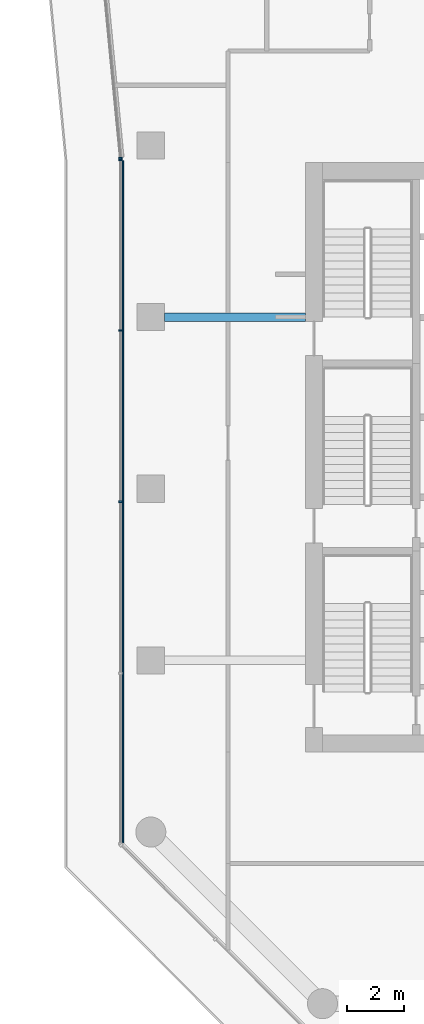
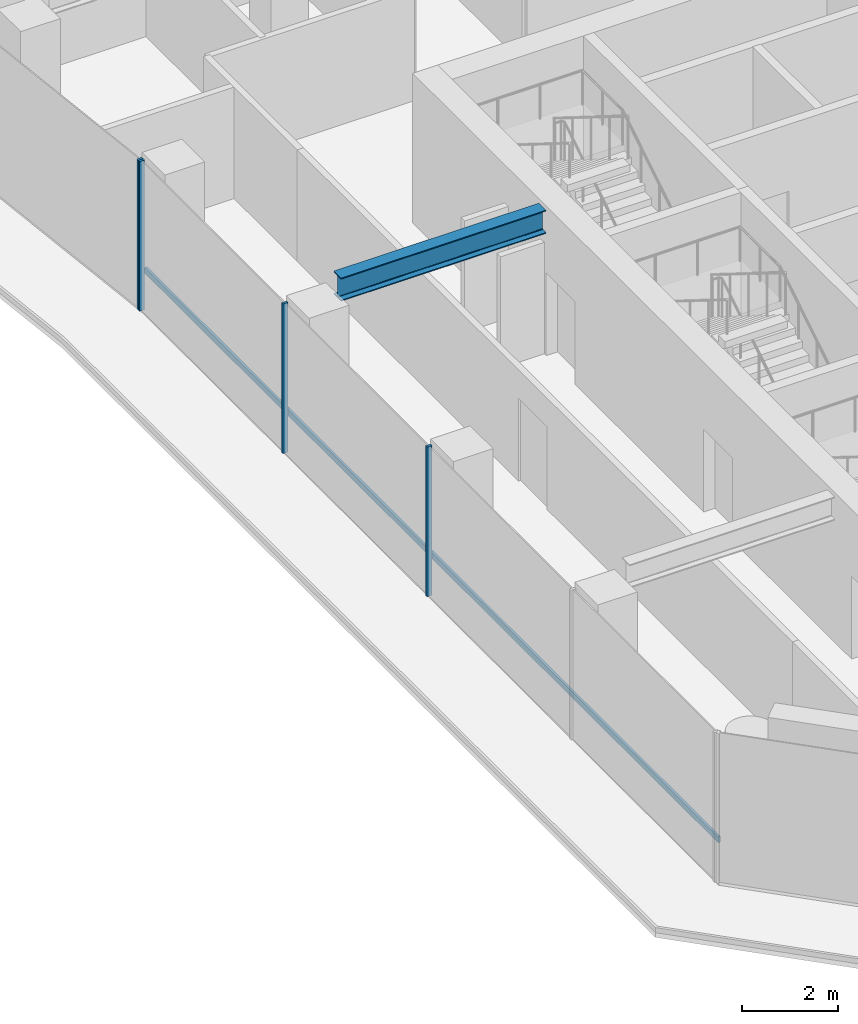
# One storey, part 5 of 22: 5 members, 1 beam, 2 elements without a shape of their own.
"""IFC4 building model written with IfcOpenShell, lengths in metres."""

from ifc_helpers import new_model, si_unit, direction, frame, origin, origin_2d, place, context, subcontext, project, spatial, rectangle, i_section, extrude, material, layer, layer_set, material_profile, profile_set, type_object, element, aggregate, save


model = new_model("IFC4")

# Units and contexts
model_context = context("Model", 3, precision=1e-05, world=origin(), true_north=direction((0.0, 1.0)))
body_context = subcontext(model_context, "Body", "Model", "MODEL_VIEW")
ifc_project = project(units=[si_unit("LENGTHUNIT", "METRE"), si_unit("AREAUNIT", "SQUARE_METRE"), si_unit("VOLUMEUNIT", "CUBIC_METRE"), si_unit("PLANEANGLEUNIT", "RADIAN"), si_unit("MASSUNIT", "GRAM", prefix="KILO")], contexts=[model_context])

# Site, building, storey
site_placement = place(None, origin())
site = spatial("IfcSite", under=ifc_project, at=site_placement, CompositionType="ELEMENT")
building_placement = place(site_placement, origin())
building = spatial("IfcBuilding", under=site, at=building_placement, Name="Welwitschia Terrace Campus", CompositionType="ELEMENT")
storey_placement = place(building_placement, frame((0.0, 0.0, 192.800048828125)))
storey = spatial("IfcBuildingStorey", under=building, at=storey_placement, Name="L43", CompositionType="ELEMENT", Elevation=192.800048828125)

# Curtain wall, member
ifc_material_1 = material(Name="Bronze anodised aluminium", Category="aluminium")
ifc_layer = layer(ifc_material_1, 0.1201171875)
ifc_layer_set = layer_set([ifc_layer], Name="Bronze anodised aluminium")
curtain_wall_type = type_object("IfcCurtainWallType", Name="Curtain wall CW2 tower 6000", PredefinedType="NOTDEFINED", material=ifc_layer_set)
curtain_wall_1_placement = place(storey_placement, origin())
curtain_wall_1 = element("IfcCurtainWall", 1, at=curtain_wall_1_placement, inside=storey, type_object=curtain_wall_type, Name="CW L43.0.0", PredefinedType="NOTDEFINED")
ifc_material_2 = material(Name="Bronze anodised aluminium", Category="aluminium")
ifc_material_profile_1 = material_profile(ifc_material_2, rectangle(XDim=0.1201171875, YDim=0.06005859375, at=origin_2d()))
ifc_profile_set_1 = profile_set([ifc_material_profile_1], Name="Bronze anodised aluminium")
member_type_1 = type_object("IfcMemberType", Name="Mullion 60x120", PredefinedType="MULLION", material=ifc_profile_set_1)
member_1_placement = place(storey_placement, frame((-1.060791015625, 25.553466796875, 0.0), z_axis=(0.0, 0.0, 1.0), x_axis=(0.995396198367, 0.09584575252, 0.0)))
member_1 = element("IfcMember", 2, at=member_1_placement, type_object=member_type_1, Name="Mullion L43.0.0.6", PredefinedType="MULLION", context=body_context, shape_type="SweptSolid", body=[
    extrude(rectangle(XDim=0.1201171875, YDim=0.06005859375, at=origin_2d()), origin(), (0.0, 0.0, 1.0), 3.800048828125),
])
aggregate(curtain_wall_1, [member_1])

# Curtain wall, members
curtain_wall_2_placement = place(storey_placement, origin())
curtain_wall_2 = element("IfcCurtainWall", 3, at=curtain_wall_2_placement, inside=storey, type_object=curtain_wall_type, Name="CW L43.1.0", PredefinedType="NOTDEFINED")
member_2_placement = place(storey_placement, frame((-1.05810546875, 25.493408203125, 0.0), z_axis=(0.0, 0.0, 1.0), x_axis=(1.0, 0.0, 0.0)))
member_2 = element("IfcMember", 4, at=member_2_placement, type_object=member_type_1, Name="Mullion L43.1.0.0", PredefinedType="MULLION", context=body_context, shape_type="SweptSolid", body=[
    extrude(rectangle(XDim=0.1201171875, YDim=0.06005859375, at=origin_2d()), origin(), (0.0, 0.0, 1.0), 3.800048828125),
])
member_3_placement = place(storey_placement, frame((-1.05810546875, 19.532958984375, 0.0), z_axis=(0.0, 0.0, 1.0), x_axis=(1.0, 0.0, 0.0)))
member_3 = element("IfcMember", 5, at=member_3_placement, type_object=member_type_1, Name="Mullion L43.1.0.1", PredefinedType="MULLION", context=body_context, shape_type="SweptSolid", body=[
    extrude(rectangle(XDim=0.1201171875, YDim=0.06005859375, at=origin_2d()), origin(), (0.0, 0.0, 1.0), 3.800048828125),
])
member_4_placement = place(storey_placement, frame((-1.05810546875, 13.542724609375, 0.0), z_axis=(0.0, 0.0, 1.0), x_axis=(1.0, 0.0, 0.0)))
member_4 = element("IfcMember", 6, at=member_4_placement, type_object=member_type_1, Name="Mullion L43.1.0.2", PredefinedType="MULLION", context=body_context, shape_type="SweptSolid", body=[
    extrude(rectangle(XDim=0.1201171875, YDim=0.06005859375, at=origin_2d()), origin(), (0.0, 0.0, 1.0), 3.800048828125),
])

# Beam
ifc_material_3 = material(Name="Steel S355", Category="steel")
ifc_material_profile_2 = material_profile(ifc_material_3, i_section(OverallWidth=0.300048828125, OverallDepth=0.590087890625, WebThickness=0.012939453125, FlangeThickness=0.02490234375, FilletRadius=0.027099609375, at=origin_2d()))
ifc_profile_set_2 = profile_set([ifc_material_profile_2], Name="Steel S355")
beam_type = type_object("IfcBeamType", Name="Primary beam HE 600 A", PredefinedType="BEAM", material=ifc_profile_set_2)
beam_placement = place(storey_placement, frame((0.4755859375, 20.0, 3.39501953125), z_axis=(1.0, 0.0, 0.0), x_axis=(0.0, 1.0, 0.0)))
element("IfcBeam", 7, at=beam_placement, inside=storey, type_object=beam_type, Name="Primary beam PB4", PredefinedType="BEAM", context=body_context, shape_type="SweptSolid", body=[
    extrude(i_section(OverallWidth=0.300048828125, OverallDepth=0.590087890625, WebThickness=0.012939453125, FlangeThickness=0.02490234375, FilletRadius=0.027099609375, at=origin_2d()), origin(), (0.0, 0.0, 1.0), 4.92431640625),
])

# Member
ifc_material_4 = material(Name="Bronze anodised aluminium", Category="aluminium")
ifc_material_profile_3 = material_profile(ifc_material_4, rectangle(XDim=0.06005859375, YDim=0.14990234375, at=origin_2d()))
ifc_profile_set_3 = profile_set([ifc_material_profile_3], Name="Bronze anodised aluminium")
member_type_2 = type_object("IfcMemberType", Name="Transom 60x150", PredefinedType="USERDEFINED", material=ifc_profile_set_3)
member_5_placement = place(storey_placement, frame((-0.968017578125, 25.46337890625, 1.0), z_axis=(0.0, -1.0, 0.0), x_axis=(1.0, 0.0, 0.0)))
member_5 = element("IfcMember", 8, at=member_5_placement, type_object=member_type_2, Name="Transom L43.1.0", ObjectType="TRANSOM", PredefinedType="USERDEFINED", context=body_context, shape_type="SweptSolid", body=[
    extrude(rectangle(XDim=0.06005859375, YDim=0.14990234375, at=origin_2d()), origin(), (0.0, 0.0, 1.0), 23.841552734375),
])

aggregate(curtain_wall_2, [member_2, member_3, member_4, member_5])

save(model, "model.ifc")
